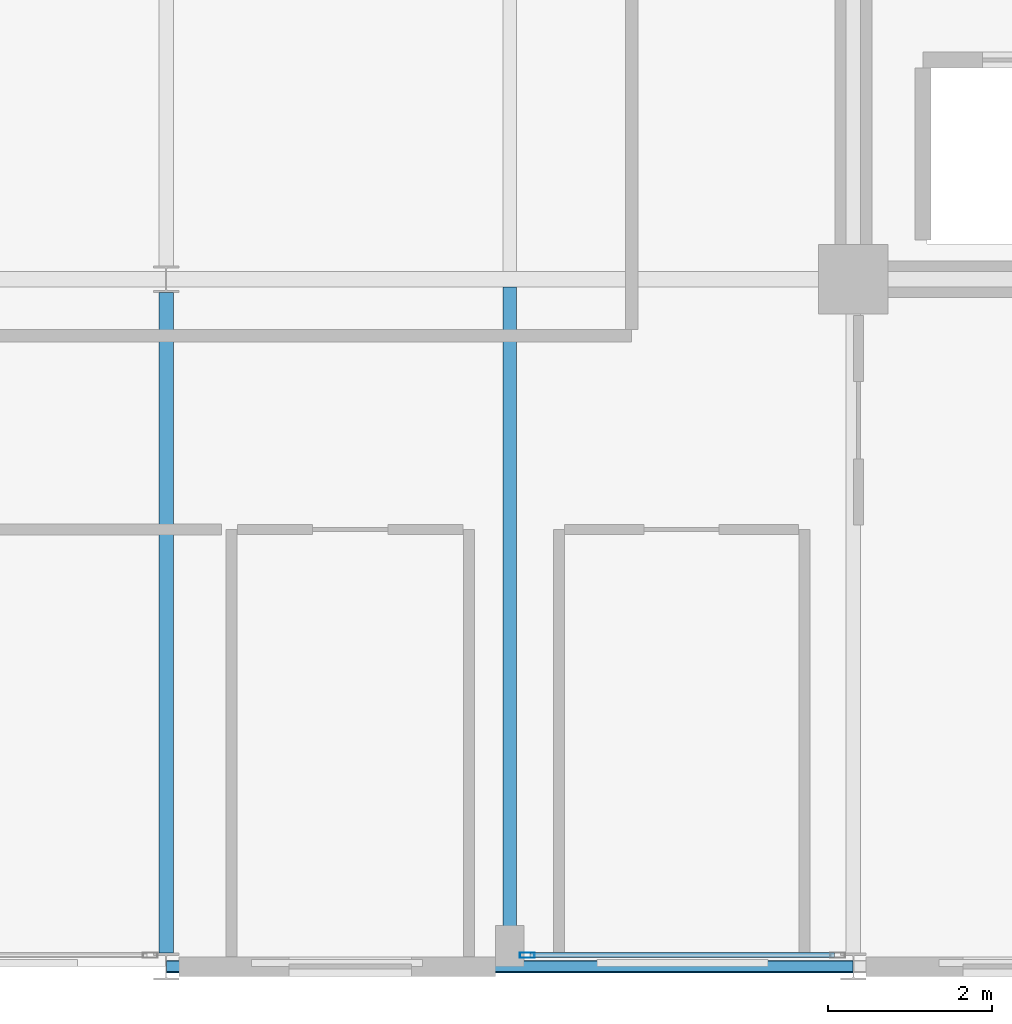
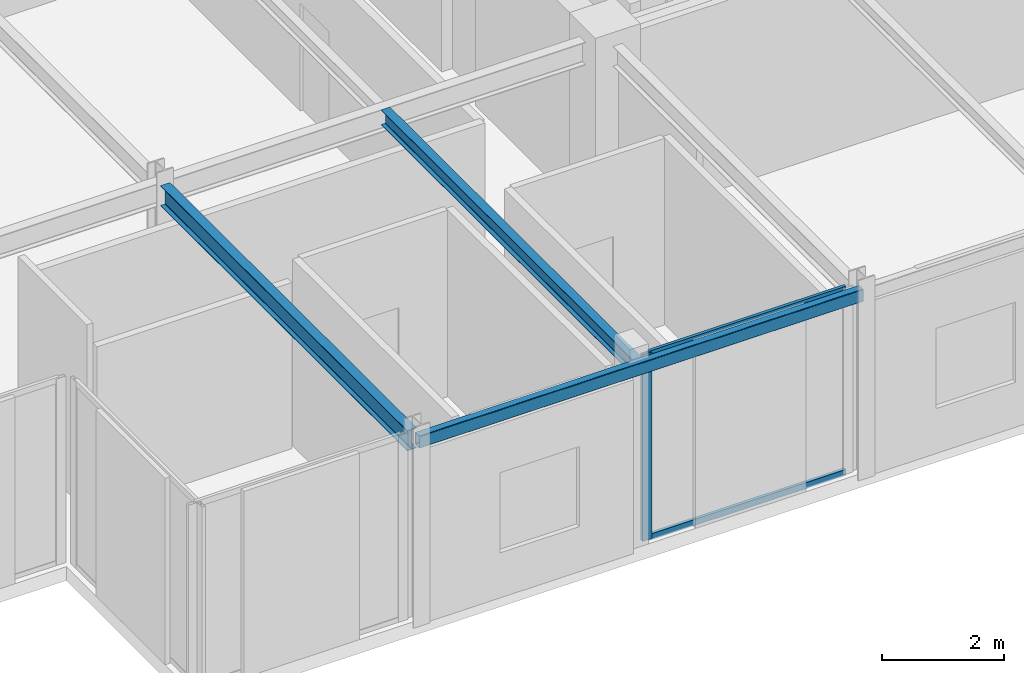
# One storey, part 4 of 26: 3 beams, 3 members, 1 element without a shape of its own.
"""IFC4 building model written with IfcOpenShell, lengths in metres."""

from ifc_helpers import new_model, si_unit, direction, frame, origin, origin_2d, place, context, subcontext, project, spatial, hollow_rectangle, i_section, extrude, material, layer, layer_set, material_profile, profile_set, type_object, element, aggregate, save


model = new_model("IFC4")

# Units and contexts
model_context = context("Model", 3, precision=1e-05, world=origin(), true_north=direction((0.0, 1.0)))
body_context = subcontext(model_context, "Body", "Model", "MODEL_VIEW")
ifc_project = project(units=[si_unit("LENGTHUNIT", "METRE"), si_unit("AREAUNIT", "SQUARE_METRE"), si_unit("VOLUMEUNIT", "CUBIC_METRE"), si_unit("PLANEANGLEUNIT", "RADIAN"), si_unit("MASSUNIT", "GRAM", prefix="KILO")], contexts=[model_context])

# Site, building, storey
site_placement = place(None, origin())
site = spatial("IfcSite", under=ifc_project, at=site_placement, CompositionType="ELEMENT")
building_placement = place(site_placement, origin())
building = spatial("IfcBuilding", under=site, at=building_placement, Name="Nerrivon Quay Data Exchange", CompositionType="ELEMENT")
storey_placement = place(building_placement, frame((0.0, 0.0, 258.199951171875)))
storey = spatial("IfcBuildingStorey", under=building, at=storey_placement, Name="L61", CompositionType="ELEMENT", Elevation=258.199951171875)

# Beams
ifc_material_1 = material(Name="Steel Grade 350", Category="steel")
ifc_material_profile_1 = material_profile(ifc_material_1, i_section(OverallWidth=0.177978515625, OverallDepth=0.406005859375, WebThickness=0.0078125, FlangeThickness=0.0126953125, FilletRadius=0.011474609375, at=origin_2d()), Name="410UB59.7")
ifc_profile_set_1 = profile_set([ifc_material_profile_1], Name="Steel Grade 350")
beam_type_1 = type_object("IfcBeamType", Name="BM-J1-410UB60", PredefinedType="JOIST", material=ifc_profile_set_1)
beam_1_placement = place(storey_placement, frame((8.39990234375, 0.16357421875, 3.52197265625), z_axis=(0.0, 1.0, 0.0), x_axis=(-1.0, 0.0, 0.0)))
element("IfcBeam", 1, at=beam_1_placement, inside=storey, type_object=beam_type_1, Name="L61 NS Girder X=8.4 (0.0..8.4)", PredefinedType="JOIST", context=body_context, shape_type="SweptSolid", body=[
    extrude(i_section(OverallWidth=0.177978515625, OverallDepth=0.406005859375, WebThickness=0.0078125, FlangeThickness=0.0126953125, FilletRadius=0.011474609375, at=origin_2d()), origin(), (0.0, 0.0, 1.0), 8.072998046875),
])
ifc_material_profile_2 = material_profile(ifc_material_1, i_section(OverallWidth=0.1650390625, OverallDepth=0.303955078125, WebThickness=0.006103515625, FlangeThickness=0.01025390625, FilletRadius=0.011474609375, at=origin_2d()), Name="310UB40.4")
ifc_profile_set_2 = profile_set([ifc_material_profile_2], Name="Steel Grade 350")
beam_type_2 = type_object("IfcBeamType", Name="BM-J6-310UB40", PredefinedType="JOIST", material=ifc_profile_set_2)
beam_2_placement = place(storey_placement, frame((12.60009765625, 0.074951171875, 3.572998046875), z_axis=(0.0, 1.0, 0.0), x_axis=(-1.0, 0.0, 0.0)))
element("IfcBeam", 2, at=beam_2_placement, inside=storey, type_object=beam_type_2, Name="L61 Secondary Joist X=12.6 (0.0..8.4)", PredefinedType="JOIST", context=body_context, shape_type="SweptSolid", body=[
    extrude(i_section(OverallWidth=0.1650390625, OverallDepth=0.303955078125, WebThickness=0.006103515625, FlangeThickness=0.01025390625, FilletRadius=0.011474609375, at=origin_2d()), origin(), (0.0, 0.0, 1.0), 8.22998046875),
])
ifc_material_2 = material(Name="Steel Grade C350L0 (350 MPa)", Category="steel")
ifc_material_profile_3 = material_profile(ifc_material_2, hollow_rectangle(XDim=0.14990234375, YDim=0.25, WallThickness=0.009033203125, InnerFilletRadius=0.013427734375, OuterFilletRadius=0.0224609375, at=origin_2d()), Name="250x150x9.0RHS")
ifc_profile_set_3 = profile_set([ifc_material_profile_3], Name="Steel Grade C350L0 (350 MPa)")
beam_type_3 = type_object("IfcBeamType", Name="BM-SP4-250x150RHS", PredefinedType="SPANDREL", material=ifc_profile_set_3)
beam_3_placement = place(storey_placement, frame((8.40771484375, 0.0, 3.60009765625), z_axis=(1.0, 0.0, 0.0), x_axis=(0.0, 1.0, 0.0)))
element("IfcBeam", 3, at=beam_3_placement, inside=storey, type_object=beam_type_3, Name="L61 EW Girder Y=0.0 (8.4..16.8)", PredefinedType="SPANDREL", context=body_context, shape_type="SweptSolid", body=[
    extrude(hollow_rectangle(XDim=0.14990234375, YDim=0.25, WallThickness=0.009033203125, InnerFilletRadius=0.013427734375, OuterFilletRadius=0.0224609375, at=origin_2d()), origin(), (0.0, 0.0, 1.0), 8.38427734375),
])

# Curtain wall, members
ifc_material_3 = material(Name="Anodised aluminium 6063-T6", Category="aluminium")
ifc_layer = layer(ifc_material_3, 0.195068359375)
ifc_layer_set = layer_set([ifc_layer], Name="Anodised aluminium 6063-T6")
curtain_wall_type = type_object("IfcCurtainWallType", Name="CW-SYS-06", PredefinedType="NOTDEFINED", material=ifc_layer_set)
curtain_wall_placement = place(storey_placement, origin())
curtain_wall = element("IfcCurtainWall", 4, at=curtain_wall_placement, inside=storey, type_object=curtain_wall_type, Name="L61 Unitised Curtain Wall 6", PredefinedType="NOTDEFINED")
ifc_material_profile_4 = material_profile(ifc_material_3, hollow_rectangle(XDim=0.06494140625, YDim=0.179931640625, WallThickness=0.00341796875, at=origin_2d()), Name="ALU-MULL-180x65")
ifc_profile_set_4 = profile_set([ifc_material_profile_4], Name="Anodised aluminium 6063-T6")
member_type_1 = type_object("IfcMemberType", Name="CWM-180x65", PredefinedType="MULLION", material=ifc_profile_set_4)
member_1_placement = place(storey_placement, frame((12.8125, 0.139892578125, 0.0), z_axis=(0.0, 0.0, 1.0), x_axis=(0.0, -1.0, 0.0)))
member_1 = element("IfcMember", 5, at=member_1_placement, type_object=member_type_1, Name="CW06 mullion 2", PredefinedType="MULLION", context=body_context, shape_type="SweptSolid", body=[
    extrude(hollow_rectangle(XDim=0.06494140625, YDim=0.179931640625, WallThickness=0.00341796875, at=origin_2d()), origin(), (0.0, 0.0, 1.0), 3.72509765625),
])
ifc_material_profile_5 = material_profile(ifc_material_3, hollow_rectangle(XDim=0.06005859375, YDim=0.1201171875, WallThickness=0.003173828125, at=origin_2d()), Name="ALU-TRAN-120x60")
ifc_profile_set_5 = profile_set([ifc_material_profile_5], Name="Anodised aluminium 6063-T6")
member_type_2 = type_object("IfcMemberType", Name="CWT-120x60", PredefinedType="USERDEFINED", material=ifc_profile_set_5)
member_2_placement = place(storey_placement, frame((16.569580078125, 0.139892578125, 0.032470703125), z_axis=(-1.0, 0.0, 0.0), x_axis=(0.0, -1.0, 0.0)))
member_2 = element("IfcMember", 6, at=member_2_placement, type_object=member_type_2, Name="CW06 transom 1.1", ObjectType="TRANSOM", PredefinedType="USERDEFINED", context=body_context, shape_type="SweptSolid", body=[
    extrude(hollow_rectangle(XDim=0.06005859375, YDim=0.1201171875, WallThickness=0.003173828125, at=origin_2d()), origin(), (0.0, 0.0, 1.0), 3.719482421875),
])
member_3_placement = place(storey_placement, frame((16.569580078125, 0.139892578125, 3.692626953125), z_axis=(-1.0, 0.0, 0.0), x_axis=(0.0, -1.0, 0.0)))
member_3 = element("IfcMember", 7, at=member_3_placement, type_object=member_type_2, Name="CW06 transom 1.2", ObjectType="TRANSOM", PredefinedType="USERDEFINED", context=body_context, shape_type="SweptSolid", body=[
    extrude(hollow_rectangle(XDim=0.06005859375, YDim=0.1201171875, WallThickness=0.003173828125, at=origin_2d()), origin(), (0.0, 0.0, 1.0), 3.719482421875),
])
aggregate(curtain_wall, [member_1, member_2, member_3])

save(model, "model.ifc")
